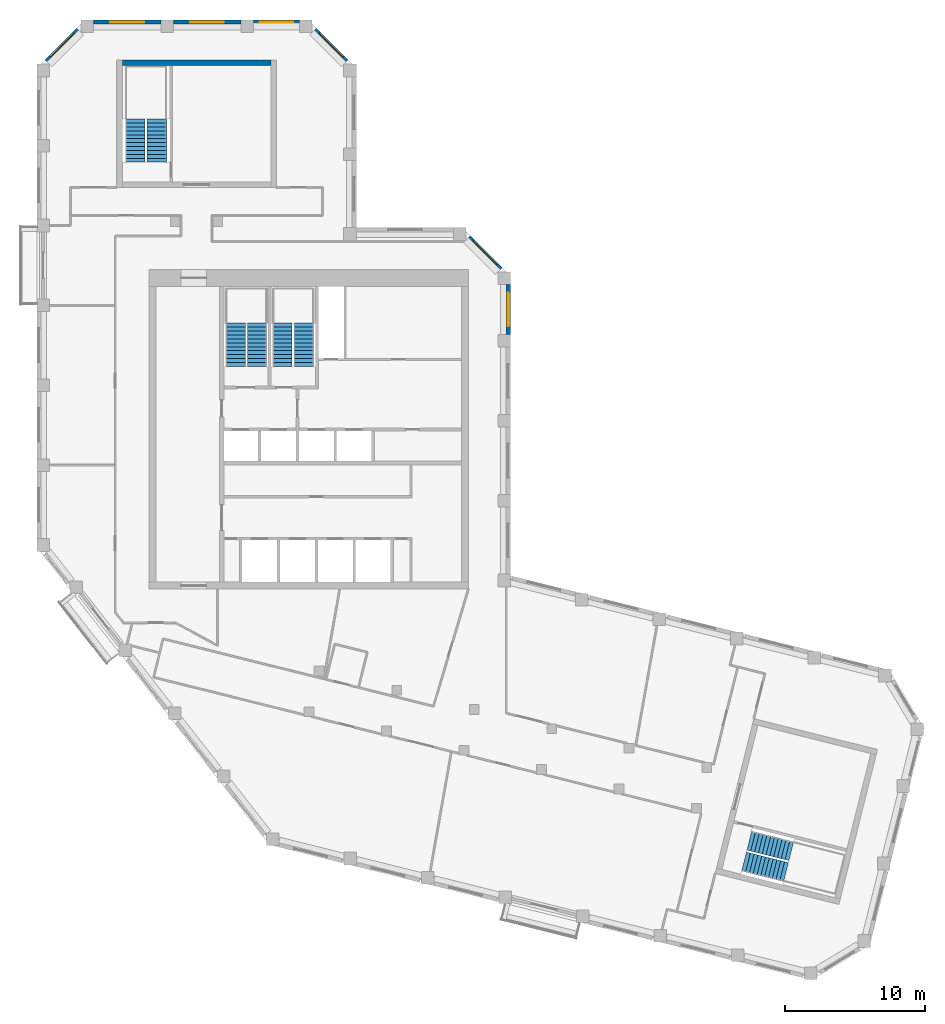
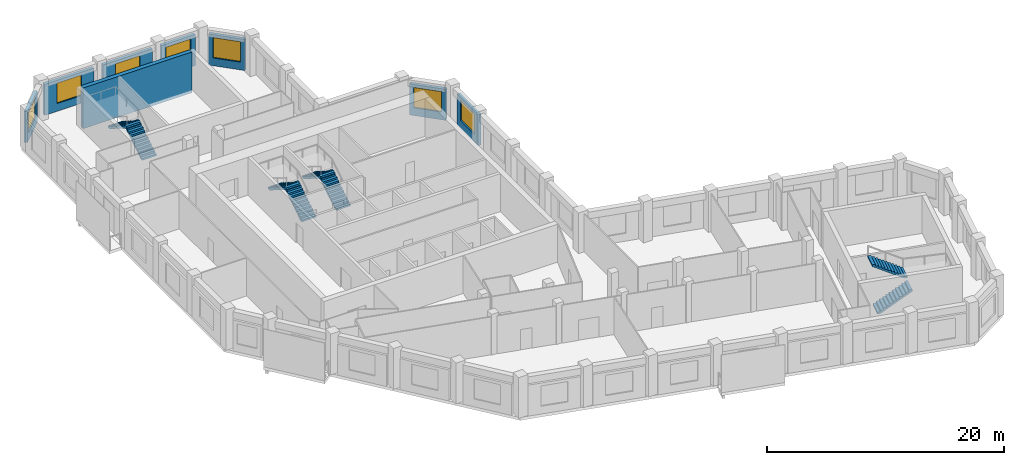
# One storey, part 7 of 8: 8 stair flights, 8 walls, 7 windows, 7 openings, 4 elements without a shape of their own.
"""IFC4 building model written with IfcOpenShell, lengths in metres."""

from ifc_helpers import new_model, si_unit, direction, frame, frame_2d, origin, place, context, subcontext, project, spatial, polyline, rectangle, outline, extrude, material, layer, layer_set, type_object, element, fill, aggregate, save


model = new_model("IFC4")

# Units and contexts
model_context = context("Model", 3, precision=1e-05, world=origin(), true_north=direction((0.0, 1.0)))
body_context = subcontext(model_context, "Body", "Model", "MODEL_VIEW")
ifc_project = project(units=[si_unit("LENGTHUNIT", "METRE"), si_unit("AREAUNIT", "SQUARE_METRE"), si_unit("VOLUMEUNIT", "CUBIC_METRE"), si_unit("PLANEANGLEUNIT", "RADIAN"), si_unit("MASSUNIT", "GRAM", prefix="KILO")], contexts=[model_context])

# Site, building, storey
site_placement = place(None, origin())
site = spatial("IfcSite", under=ifc_project, at=site_placement, CompositionType="ELEMENT")
building_placement = place(site_placement, origin())
building = spatial("IfcBuilding", under=site, at=building_placement, Name="Meshkara Civic Tower", CompositionType="ELEMENT")
storey_placement = place(building_placement, frame((0.0, 0.0, 379.199951171875)))
storey = spatial("IfcBuildingStorey", under=building, at=storey_placement, Name="L87", CompositionType="ELEMENT", Elevation=379.199951171875)

# Wall, opening, window
ifc_material_1 = material(Name="Insulated infill panel with bronze anodised aluminium cladding", Category="aluminium")
ifc_layer_1 = layer(ifc_material_1, 0.300048828125)
ifc_layer_set_1 = layer_set([ifc_layer_1], Name="EXTERNAL INFILL WALL 300")
wall_type_1 = type_object("IfcWallType", Name="EXTERNAL INFILL WALL 300", PredefinedType="SOLIDWALL", material=ifc_layer_set_1)
wall_1_placement = place(storey_placement, frame((33.64990234375, 32.26904296875, 0.0), z_axis=(0.0, 0.0, 1.0), x_axis=(0.0, 1.0, 0.0)))
wall_1 = element("IfcWall", 1, at=wall_1_placement, inside=storey, type_object=wall_type_1, Name="External wall", PredefinedType="SOLIDWALL", context=body_context, shape_type="SweptSolid", body=[
    extrude(rectangle(XDim=3.574951171875, YDim=0.300048828125, at=frame_2d((1.78759765625, 0.0))), origin(), (0.0, 0.0, 1.0), 3.199951171875),
])
opening_1_placement = place(wall_1_placement, frame((0.587890625, 0.0, 0.800048828125)))
opening_1 = element("IfcOpeningElement", 2, at=opening_1_placement, cuts=wall_1, Name="Opening W7", PredefinedType="OPENING", context=body_context, shape_type="SweptSolid", body=[
    extrude(rectangle(XDim=2.39990234375, YDim=2.10009765625, at=frame_2d((1.199951171875, 1.050048828125))), frame((0.0, 0.159912109375, 0.0), z_axis=(0.0, -1.0, 0.0), x_axis=(1.0, 0.0, 0.0)), (0.0, 0.0, 1.0), 0.320068359375),
])
ifc_material_2 = material(Name="Tinted double glazing", Category="glass")
window_type = type_object("IfcWindowType", Name="WINDOW 2400x2100", PartitioningType="DOUBLE_PANEL_VERTICAL", PredefinedType="WINDOW", material=ifc_material_2)
window_1_placement = place(opening_1_placement, origin())
window_1 = element("IfcWindow", 3, at=window_1_placement, inside=storey, type_object=window_type, Name="Window", OverallHeight=2.10009765625, OverallWidth=2.39990234375, PartitioningType="DOUBLE_PANEL_VERTICAL", PredefinedType="WINDOW", context=body_context, shape_type="SweptSolid", body=[
    extrude(rectangle(XDim=2.39990234375, YDim=2.10009765625, at=frame_2d((1.199951171875, 1.050048828125))), frame((0.0, 0.030029296875, 0.0), z_axis=(0.0, -1.0, 0.0), x_axis=(1.0, 0.0, 0.0)), (0.0, 0.0, 1.0), 0.06005859375),
])
fill(opening_1, window_1)

wall_2_placement = place(storey_placement, frame((33.112060546875, 36.9560546875, 0.0), z_axis=(0.0, 0.0, 1.0), x_axis=(-0.707145041435, 0.707068518868, 0.0)))
wall_2 = element("IfcWall", 4, at=wall_2_placement, inside=storey, type_object=wall_type_1, Name="External wall", PredefinedType="SOLIDWALL", context=body_context, shape_type="SweptSolid", body=[
    extrude(rectangle(XDim=3.1904296875, YDim=0.300048828125, at=frame_2d((1.59521484375, 0.0))), origin(), (0.0, 0.0, 1.0), 3.199951171875),
])
opening_2_placement = place(wall_2_placement, frame((0.39501953125, 0.0, 0.800048828125)))
opening_2 = element("IfcOpeningElement", 5, at=opening_2_placement, cuts=wall_2, Name="Opening W7", PredefinedType="OPENING", context=body_context, shape_type="SweptSolid", body=[
    extrude(rectangle(XDim=2.39990234375, YDim=2.10009765625, at=frame_2d((1.199951171875, 1.050048828125))), frame((0.0, 0.159912109375, 0.0), z_axis=(0.0, -1.0, 0.0), x_axis=(1.0, 0.0, 0.0)), (0.0, 0.0, 1.0), 0.320068359375),
])
window_2_placement = place(opening_2_placement, origin())
window_2 = element("IfcWindow", 6, at=window_2_placement, inside=storey, type_object=window_type, Name="Window", OverallHeight=2.10009765625, OverallWidth=2.39990234375, PartitioningType="DOUBLE_PANEL_VERTICAL", PredefinedType="WINDOW", context=body_context, shape_type="SweptSolid", body=[
    extrude(rectangle(XDim=2.39990234375, YDim=2.10009765625, at=frame_2d((1.199951171875, 1.050048828125))), frame((0.0, 0.030029296875, 0.0), z_axis=(0.0, -1.0, 0.0), x_axis=(1.0, 0.0, 0.0)), (0.0, 0.0, 1.0), 0.06005859375),
])
fill(opening_2, window_2)

wall_3_placement = place(storey_placement, frame((22.112060546875, 51.77587890625, 0.0), z_axis=(0.0, 0.0, 1.0), x_axis=(-0.707106781187, 0.707106781187, 0.0)))
wall_3 = element("IfcWall", 7, at=wall_3_placement, inside=storey, type_object=wall_type_1, Name="External wall", PredefinedType="SOLIDWALL", context=body_context, shape_type="SweptSolid", body=[
    extrude(rectangle(XDim=3.190673828125, YDim=0.300048828125, at=frame_2d((1.59521484375, 0.0))), origin(), (0.0, 0.0, 1.0), 3.199951171875),
])
opening_3_placement = place(wall_3_placement, frame((0.39501953125, 0.0, 0.800048828125)))
opening_3 = element("IfcOpeningElement", 8, at=opening_3_placement, cuts=wall_3, Name="Opening W7", PredefinedType="OPENING", context=body_context, shape_type="SweptSolid", body=[
    extrude(rectangle(XDim=2.39990234375, YDim=2.10009765625, at=frame_2d((1.199951171875, 1.050048828125))), frame((0.0, 0.159912109375, 0.0), z_axis=(0.0, -1.0, 0.0), x_axis=(1.0, 0.0, 0.0)), (0.0, 0.0, 1.0), 0.320068359375),
])
window_3_placement = place(opening_3_placement, origin())
window_3 = element("IfcWindow", 9, at=window_3_placement, inside=storey, type_object=window_type, Name="Window", OverallHeight=2.10009765625, OverallWidth=2.39990234375, PartitioningType="DOUBLE_PANEL_VERTICAL", PredefinedType="WINDOW", context=body_context, shape_type="SweptSolid", body=[
    extrude(rectangle(XDim=2.39990234375, YDim=2.10009765625, at=frame_2d((1.199951171875, 1.050048828125))), frame((0.0, 0.030029296875, 0.0), z_axis=(0.0, -1.0, 0.0), x_axis=(1.0, 0.0, 0.0)), (0.0, 0.0, 1.0), 0.06005859375),
])
fill(opening_3, window_3)

wall_4_placement = place(storey_placement, frame((18.743896484375, 54.570068359375, 0.0), z_axis=(0.0, 0.0, 1.0), x_axis=(-1.0, 0.0, 0.0)))
wall_4 = element("IfcWall", 10, at=wall_4_placement, inside=storey, type_object=wall_type_1, Name="External wall", PredefinedType="SOLIDWALL", context=body_context, shape_type="SweptSolid", body=[
    extrude(rectangle(XDim=3.287841796875, YDim=0.300048828125, at=frame_2d((1.64404296875, 0.0))), origin(), (0.0, 0.0, 1.0), 3.199951171875),
])
opening_4_placement = place(wall_4_placement, frame((0.444091796875, 0.0, 0.800048828125)))
opening_4 = element("IfcOpeningElement", 11, at=opening_4_placement, cuts=wall_4, Name="Opening W7", PredefinedType="OPENING", context=body_context, shape_type="SweptSolid", body=[
    extrude(rectangle(XDim=2.39990234375, YDim=2.10009765625, at=frame_2d((1.199951171875, 1.050048828125))), frame((0.0, 0.159912109375, 0.0), z_axis=(0.0, -1.0, 0.0), x_axis=(1.0, 0.0, 0.0)), (0.0, 0.0, 1.0), 0.320068359375),
])
window_4_placement = place(opening_4_placement, origin())
window_4 = element("IfcWindow", 12, at=window_4_placement, inside=storey, type_object=window_type, Name="Window", OverallHeight=2.10009765625, OverallWidth=2.39990234375, PartitioningType="DOUBLE_PANEL_VERTICAL", PredefinedType="WINDOW", context=body_context, shape_type="SweptSolid", body=[
    extrude(rectangle(XDim=2.39990234375, YDim=2.10009765625, at=frame_2d((1.199951171875, 1.050048828125))), frame((0.0, 0.030029296875, 0.0), z_axis=(0.0, -1.0, 0.0), x_axis=(1.0, 0.0, 0.0)), (0.0, 0.0, 1.0), 0.06005859375),
])
fill(opening_4, window_4)

wall_5_placement = place(storey_placement, frame((14.555908203125, 54.570068359375, 0.0), z_axis=(0.0, 0.0, 1.0), x_axis=(-1.0, 0.0, 0.0)))
wall_5 = element("IfcWall", 13, at=wall_5_placement, inside=storey, type_object=wall_type_1, Name="External wall", PredefinedType="SOLIDWALL", context=body_context, shape_type="SweptSolid", body=[
    extrude(rectangle(XDim=4.7998046875, YDim=0.300048828125, at=frame_2d((2.39990234375, 0.0))), origin(), (0.0, 0.0, 1.0), 3.199951171875),
])
opening_5_placement = place(wall_5_placement, frame((1.199951171875, 0.0, 0.800048828125)))
opening_5 = element("IfcOpeningElement", 14, at=opening_5_placement, cuts=wall_5, Name="Opening W7", PredefinedType="OPENING", context=body_context, shape_type="SweptSolid", body=[
    extrude(rectangle(XDim=2.39990234375, YDim=2.10009765625, at=frame_2d((1.199951171875, 1.050048828125))), frame((0.0, 0.159912109375, 0.0), z_axis=(0.0, -1.0, 0.0), x_axis=(1.0, 0.0, 0.0)), (0.0, 0.0, 1.0), 0.320068359375),
])
window_5_placement = place(opening_5_placement, origin())
window_5 = element("IfcWindow", 15, at=window_5_placement, inside=storey, type_object=window_type, Name="Window", OverallHeight=2.10009765625, OverallWidth=2.39990234375, PartitioningType="DOUBLE_PANEL_VERTICAL", PredefinedType="WINDOW", context=body_context, shape_type="SweptSolid", body=[
    extrude(rectangle(XDim=2.39990234375, YDim=2.10009765625, at=frame_2d((1.199951171875, 1.050048828125))), frame((0.0, 0.030029296875, 0.0), z_axis=(0.0, -1.0, 0.0), x_axis=(1.0, 0.0, 0.0)), (0.0, 0.0, 1.0), 0.06005859375),
])
fill(opening_5, window_5)

wall_6_placement = place(storey_placement, frame((8.85595703125, 54.570068359375, 0.0), z_axis=(0.0, 0.0, 1.0), x_axis=(-1.0, 0.0, 0.0)))
wall_6 = element("IfcWall", 16, at=wall_6_placement, inside=storey, type_object=wall_type_1, Name="External wall", PredefinedType="SOLIDWALL", context=body_context, shape_type="SweptSolid", body=[
    extrude(rectangle(XDim=4.800048828125, YDim=0.300048828125, at=frame_2d((2.39990234375, 0.0))), origin(), (0.0, 0.0, 1.0), 3.199951171875),
])
opening_6_placement = place(wall_6_placement, frame((1.199951171875, 0.0, 0.800048828125)))
opening_6 = element("IfcOpeningElement", 17, at=opening_6_placement, cuts=wall_6, Name="Opening W7", PredefinedType="OPENING", context=body_context, shape_type="SweptSolid", body=[
    extrude(rectangle(XDim=2.39990234375, YDim=2.10009765625, at=frame_2d((1.199951171875, 1.050048828125))), frame((0.0, 0.159912109375, 0.0), z_axis=(0.0, -1.0, 0.0), x_axis=(1.0, 0.0, 0.0)), (0.0, 0.0, 1.0), 0.320068359375),
])
window_6_placement = place(opening_6_placement, origin())
window_6 = element("IfcWindow", 18, at=window_6_placement, inside=storey, type_object=window_type, Name="Window", OverallHeight=2.10009765625, OverallWidth=2.39990234375, PartitioningType="DOUBLE_PANEL_VERTICAL", PredefinedType="WINDOW", context=body_context, shape_type="SweptSolid", body=[
    extrude(rectangle(XDim=2.39990234375, YDim=2.10009765625, at=frame_2d((1.199951171875, 1.050048828125))), frame((0.0, 0.030029296875, 0.0), z_axis=(0.0, -1.0, 0.0), x_axis=(1.0, 0.0, 0.0)), (0.0, 0.0, 1.0), 0.06005859375),
])
fill(opening_6, window_6)

wall_7_placement = place(storey_placement, frame((2.944091796875, 54.031982421875, 0.0), z_axis=(0.0, 0.0, 1.0), x_axis=(-0.707106781187, -0.707106781187, 0.0)))
wall_7 = element("IfcWall", 19, at=wall_7_placement, inside=storey, type_object=wall_type_1, Name="External wall", PredefinedType="SOLIDWALL", context=body_context, shape_type="SweptSolid", body=[
    extrude(rectangle(XDim=3.190673828125, YDim=0.300048828125, at=frame_2d((1.59521484375, 0.0))), origin(), (0.0, 0.0, 1.0), 3.199951171875),
])
opening_7_placement = place(wall_7_placement, frame((0.39501953125, 0.0, 0.800048828125)))
opening_7 = element("IfcOpeningElement", 20, at=opening_7_placement, cuts=wall_7, Name="Opening W7", PredefinedType="OPENING", context=body_context, shape_type="SweptSolid", body=[
    extrude(rectangle(XDim=2.39990234375, YDim=2.10009765625, at=frame_2d((1.199951171875, 1.050048828125))), frame((0.0, 0.159912109375, 0.0), z_axis=(0.0, -1.0, 0.0), x_axis=(1.0, 0.0, 0.0)), (0.0, 0.0, 1.0), 0.320068359375),
])
window_7_placement = place(opening_7_placement, origin())
window_7 = element("IfcWindow", 21, at=window_7_placement, inside=storey, type_object=window_type, Name="Window", OverallHeight=2.10009765625, OverallWidth=2.39990234375, PartitioningType="DOUBLE_PANEL_VERTICAL", PredefinedType="WINDOW", context=body_context, shape_type="SweptSolid", body=[
    extrude(rectangle(XDim=2.39990234375, YDim=2.10009765625, at=frame_2d((1.199951171875, 1.050048828125))), frame((0.0, 0.030029296875, 0.0), z_axis=(0.0, -1.0, 0.0), x_axis=(1.0, 0.0, 0.0)), (0.0, 0.0, 1.0), 0.06005859375),
])
fill(opening_7, window_7)

# Wall
ifc_material_3 = material(Name="Concrete C50", Category="concrete")
ifc_layer_2 = layer(ifc_material_3, 0.39990234375)
ifc_layer_set_2 = layer_set([ifc_layer_2], Name="End core ring wall 400 C50")
wall_type_2 = type_object("IfcWallType", Name="End core ring wall 400 C50", PredefinedType="SHEAR", material=ifc_layer_set_2)
wall_8_placement = place(storey_placement, frame((6.10009765625, 51.669921875, -0.300048828125), z_axis=(0.0, 0.0, 1.0), x_axis=(1.0, 0.0, 0.0)))
element("IfcWall", 22, at=wall_8_placement, inside=storey, type_object=wall_type_2, Name="L87-C029", PredefinedType="SHEAR", context=body_context, shape_type="SweptSolid", body=[
    extrude(rectangle(XDim=10.599853515625, YDim=0.39990234375, at=frame_2d((5.2998046875, 0.0))), origin(), (0.0, 0.0, 1.0), 4.2001953125),
])

# Stair, stair flights
ifc_material_4 = material(Name="Precast concrete C40/50", Category="concrete")
stair_type = type_object("IfcStairType", Name="Exit stair half-turn 24 risers precast", PredefinedType="HALF_TURN_STAIR", material=ifc_material_4)
stair_1_placement = place(storey_placement, origin())
stair_1 = element("IfcStair", 23, at=stair_1_placement, inside=storey, type_object=stair_type, Name="L87 exit stair 1", PredefinedType="HALF_TURN_STAIR")
ifc_material_5 = material(Name="Precast concrete C40/50", Category="concrete")
stair_flight_type = type_object("IfcStairFlightType", Name="Exit stair flight 12 risers precast", PredefinedType="STRAIGHT", material=ifc_material_5)
stair_flight_1_placement = place(storey_placement, frame((15.72509765625, 30.0, 0.0), z_axis=(0.0, 0.0, 1.0), x_axis=(0.0, 1.0, 0.0)))
stair_flight_1 = element("IfcStairFlight", 24, at=stair_flight_1_placement, type_object=stair_flight_type, Name="ST1 flight 1", NumberOfRisers=12, NumberOfTreads=11, PredefinedType="STRAIGHT", RiserHeight=0.175, TreadLength=0.28, context=body_context, shape_type="SweptSolid", body=[
    extrude(outline(polyline([(0.0, 0.0), (0.0, 0.175048828125), (0.280029296875, 0.175048828125), (0.280029296875, 0.35009765625), (0.56005859375, 0.35009765625), (0.56005859375, 0.52490234375), (0.840087890625, 0.52490234375), (0.840087890625, 0.699951171875), (1.1201171875, 0.699951171875), (1.1201171875, 0.875), (1.39990234375, 0.875), (1.39990234375, 1.050048828125), (1.679931640625, 1.050048828125), (1.679931640625, 1.22509765625), (1.9599609375, 1.22509765625), (1.9599609375, 1.39990234375), (2.239990234375, 1.39990234375), (2.239990234375, 1.574951171875), (2.52001953125, 1.574951171875), (2.52001953125, 1.75), (2.800048828125, 1.75), (2.800048828125, 1.925048828125), (3.080078125, 1.925048828125), (3.080078125, 2.10009765625), (3.080078125, 1.748291015625), (0.28271484375, 0.0), (0.0, 0.0)])), frame((0.0, 0.699951171875, 0.0), z_axis=(0.0, -1.0, 0.0), x_axis=(1.0, 0.0, 0.0)), (0.0, 0.0, 1.0), 1.39990234375),
])
stair_flight_2_placement = place(storey_placement, frame((14.175048828125, 33.080078125, 2.10009765625), z_axis=(0.0, 0.0, 1.0), x_axis=(0.0, -1.0, 0.0)))
stair_flight_2 = element("IfcStairFlight", 25, at=stair_flight_2_placement, type_object=stair_flight_type, Name="ST1 flight 2", NumberOfRisers=12, NumberOfTreads=11, PredefinedType="STRAIGHT", RiserHeight=0.175, TreadLength=0.28, context=body_context, shape_type="SweptSolid", body=[
    extrude(outline(polyline([(0.0, 0.0), (0.0, 0.175048828125), (0.280029296875, 0.175048828125), (0.280029296875, 0.35009765625), (0.56005859375, 0.35009765625), (0.56005859375, 0.52490234375), (0.840087890625, 0.52490234375), (0.840087890625, 0.699951171875), (1.1201171875, 0.699951171875), (1.1201171875, 0.875), (1.39990234375, 0.875), (1.39990234375, 1.050048828125), (1.679931640625, 1.050048828125), (1.679931640625, 1.22509765625), (1.9599609375, 1.22509765625), (1.9599609375, 1.39990234375), (2.239990234375, 1.39990234375), (2.239990234375, 1.574951171875), (2.52001953125, 1.574951171875), (2.52001953125, 1.75), (2.800048828125, 1.75), (2.800048828125, 1.925048828125), (3.080078125, 1.925048828125), (3.080078125, 2.10009765625), (3.080078125, 1.748291015625), (0.28271484375, 0.0), (0.0, 0.0)])), frame((0.0, 0.699951171875, 0.0), z_axis=(0.0, -1.0, 0.0), x_axis=(1.0, 0.0, 0.0)), (0.0, 0.0, 1.0), 1.39990234375),
])
aggregate(stair_1, [stair_flight_1, stair_flight_2])

stair_2_placement = place(storey_placement, origin())
stair_2 = element("IfcStair", 26, at=stair_2_placement, inside=storey, type_object=stair_type, Name="L87 exit stair 2", PredefinedType="HALF_TURN_STAIR")
stair_flight_3_placement = place(storey_placement, frame((19.074951171875, 30.0, 0.0), z_axis=(0.0, 0.0, 1.0), x_axis=(0.0, 1.0, 0.0)))
stair_flight_3 = element("IfcStairFlight", 27, at=stair_flight_3_placement, type_object=stair_flight_type, Name="ST2 flight 1", NumberOfRisers=12, NumberOfTreads=11, PredefinedType="STRAIGHT", RiserHeight=0.175, TreadLength=0.28, context=body_context, shape_type="SweptSolid", body=[
    extrude(outline(polyline([(0.0, 0.0), (0.0, 0.175048828125), (0.280029296875, 0.175048828125), (0.280029296875, 0.35009765625), (0.56005859375, 0.35009765625), (0.56005859375, 0.52490234375), (0.840087890625, 0.52490234375), (0.840087890625, 0.699951171875), (1.1201171875, 0.699951171875), (1.1201171875, 0.875), (1.39990234375, 0.875), (1.39990234375, 1.050048828125), (1.679931640625, 1.050048828125), (1.679931640625, 1.22509765625), (1.9599609375, 1.22509765625), (1.9599609375, 1.39990234375), (2.239990234375, 1.39990234375), (2.239990234375, 1.574951171875), (2.52001953125, 1.574951171875), (2.52001953125, 1.75), (2.800048828125, 1.75), (2.800048828125, 1.925048828125), (3.080078125, 1.925048828125), (3.080078125, 2.10009765625), (3.080078125, 1.748291015625), (0.28271484375, 0.0), (0.0, 0.0)])), frame((0.0, 0.699951171875, 0.0), z_axis=(0.0, -1.0, 0.0), x_axis=(1.0, 0.0, 0.0)), (0.0, 0.0, 1.0), 1.39990234375),
])
stair_flight_4_placement = place(storey_placement, frame((17.52490234375, 33.080078125, 2.10009765625), z_axis=(0.0, 0.0, 1.0), x_axis=(0.0, -1.0, 0.0)))
stair_flight_4 = element("IfcStairFlight", 28, at=stair_flight_4_placement, type_object=stair_flight_type, Name="ST2 flight 2", NumberOfRisers=12, NumberOfTreads=11, PredefinedType="STRAIGHT", RiserHeight=0.175, TreadLength=0.28, context=body_context, shape_type="SweptSolid", body=[
    extrude(outline(polyline([(0.0, 0.0), (0.0, 0.175048828125), (0.280029296875, 0.175048828125), (0.280029296875, 0.35009765625), (0.56005859375, 0.35009765625), (0.56005859375, 0.52490234375), (0.840087890625, 0.52490234375), (0.840087890625, 0.699951171875), (1.1201171875, 0.699951171875), (1.1201171875, 0.875), (1.39990234375, 0.875), (1.39990234375, 1.050048828125), (1.679931640625, 1.050048828125), (1.679931640625, 1.22509765625), (1.9599609375, 1.22509765625), (1.9599609375, 1.39990234375), (2.239990234375, 1.39990234375), (2.239990234375, 1.574951171875), (2.52001953125, 1.574951171875), (2.52001953125, 1.75), (2.800048828125, 1.75), (2.800048828125, 1.925048828125), (3.080078125, 1.925048828125), (3.080078125, 2.10009765625), (3.080078125, 1.748291015625), (0.28271484375, 0.0), (0.0, 0.0)])), frame((0.0, 0.699951171875, 0.0), z_axis=(0.0, -1.0, 0.0), x_axis=(1.0, 0.0, 0.0)), (0.0, 0.0, 1.0), 1.39990234375),
])
aggregate(stair_2, [stair_flight_3, stair_flight_4])

stair_3_placement = place(storey_placement, origin())
stair_3 = element("IfcStair", 29, at=stair_3_placement, inside=storey, type_object=stair_type, Name="L87 exit stair A from L80", PredefinedType="HALF_TURN_STAIR")
stair_flight_5_placement = place(storey_placement, frame((8.574951171875, 44.570068359375, 0.0), z_axis=(0.0, 0.0, 1.0), x_axis=(0.0, 1.0, 0.0)))
stair_flight_5 = element("IfcStairFlight", 30, at=stair_flight_5_placement, type_object=stair_flight_type, Name="ESA6 flight 1", NumberOfRisers=12, NumberOfTreads=11, PredefinedType="STRAIGHT", RiserHeight=0.175, TreadLength=0.28, context=body_context, shape_type="SweptSolid", body=[
    extrude(outline(polyline([(0.0, 0.0), (0.0, 0.175048828125), (0.280029296875, 0.175048828125), (0.280029296875, 0.35009765625), (0.56005859375, 0.35009765625), (0.56005859375, 0.52490234375), (0.840087890625, 0.52490234375), (0.840087890625, 0.699951171875), (1.1201171875, 0.699951171875), (1.1201171875, 0.875), (1.39990234375, 0.875), (1.39990234375, 1.050048828125), (1.679931640625, 1.050048828125), (1.679931640625, 1.22509765625), (1.9599609375, 1.22509765625), (1.9599609375, 1.39990234375), (2.239990234375, 1.39990234375), (2.239990234375, 1.574951171875), (2.52001953125, 1.574951171875), (2.52001953125, 1.75), (2.800048828125, 1.75), (2.800048828125, 1.925048828125), (3.080078125, 1.925048828125), (3.080078125, 2.10009765625), (3.080078125, 1.748291015625), (0.28271484375, 0.0), (0.0, 0.0)])), frame((0.0, 0.699951171875, 0.0), z_axis=(0.0, -1.0, 0.0), x_axis=(1.0, 0.0, 0.0)), (0.0, 0.0, 1.0), 1.39990234375),
])
stair_flight_6_placement = place(storey_placement, frame((7.02490234375, 47.64990234375, 2.10009765625), z_axis=(0.0, 0.0, 1.0), x_axis=(0.0, -1.0, 0.0)))
stair_flight_6 = element("IfcStairFlight", 31, at=stair_flight_6_placement, type_object=stair_flight_type, Name="ESA6 flight 2", NumberOfRisers=12, NumberOfTreads=11, PredefinedType="STRAIGHT", RiserHeight=0.175, TreadLength=0.28, context=body_context, shape_type="SweptSolid", body=[
    extrude(outline(polyline([(0.0, 0.0), (0.0, 0.175048828125), (0.280029296875, 0.175048828125), (0.280029296875, 0.35009765625), (0.56005859375, 0.35009765625), (0.56005859375, 0.52490234375), (0.840087890625, 0.52490234375), (0.840087890625, 0.699951171875), (1.1201171875, 0.699951171875), (1.1201171875, 0.875), (1.39990234375, 0.875), (1.39990234375, 1.050048828125), (1.679931640625, 1.050048828125), (1.679931640625, 1.22509765625), (1.9599609375, 1.22509765625), (1.9599609375, 1.39990234375), (2.239990234375, 1.39990234375), (2.239990234375, 1.574951171875), (2.52001953125, 1.574951171875), (2.52001953125, 1.75), (2.800048828125, 1.75), (2.800048828125, 1.925048828125), (3.080078125, 1.925048828125), (3.080078125, 2.10009765625), (3.080078125, 1.748291015625), (0.28271484375, 0.0), (0.0, 0.0)])), frame((0.0, 0.699951171875, 0.0), z_axis=(0.0, -1.0, 0.0), x_axis=(1.0, 0.0, 0.0)), (0.0, 0.0, 1.0), 1.39990234375),
])
aggregate(stair_3, [stair_flight_5, stair_flight_6])

stair_4_placement = place(storey_placement, origin())
stair_4 = element("IfcStair", 32, at=stair_4_placement, inside=storey, type_object=stair_type, Name="L87 exit stair B from L80", PredefinedType="HALF_TURN_STAIR")
stair_flight_7_placement = place(storey_placement, frame((50.47607421875, -5.344482421875, 0.0), z_axis=(0.0, 0.0, 1.0), x_axis=(0.9703185901, -0.241830175344, 0.0)))
stair_flight_7 = element("IfcStairFlight", 33, at=stair_flight_7_placement, type_object=stair_flight_type, Name="ESB6 flight 1", NumberOfRisers=12, NumberOfTreads=11, PredefinedType="STRAIGHT", RiserHeight=0.175, TreadLength=0.28, context=body_context, shape_type="SweptSolid", body=[
    extrude(outline(polyline([(0.0, 0.0), (0.0, 0.175048828125), (0.280029296875, 0.175048828125), (0.280029296875, 0.35009765625), (0.56005859375, 0.35009765625), (0.56005859375, 0.52490234375), (0.840087890625, 0.52490234375), (0.840087890625, 0.699951171875), (1.1201171875, 0.699951171875), (1.1201171875, 0.875), (1.39990234375, 0.875), (1.39990234375, 1.050048828125), (1.679931640625, 1.050048828125), (1.679931640625, 1.22509765625), (1.9599609375, 1.22509765625), (1.9599609375, 1.39990234375), (2.239990234375, 1.39990234375), (2.239990234375, 1.574951171875), (2.52001953125, 1.574951171875), (2.52001953125, 1.75), (2.800048828125, 1.75), (2.800048828125, 1.925048828125), (3.080078125, 1.925048828125), (3.080078125, 2.10009765625), (3.080078125, 1.748291015625), (0.28271484375, 0.0), (0.0, 0.0)])), frame((0.0, 0.699951171875, 0.0), z_axis=(0.0, -1.0, 0.0), x_axis=(1.0, 0.0, 0.0)), (0.0, 0.0, 1.0), 1.39990234375),
])
stair_flight_8_placement = place(storey_placement, frame((53.83935546875, -4.58544921875, 2.10009765625), z_axis=(0.0, 0.0, 1.0), x_axis=(-0.9703185901, 0.241830175344, 0.0)))
stair_flight_8 = element("IfcStairFlight", 34, at=stair_flight_8_placement, type_object=stair_flight_type, Name="ESB6 flight 2", NumberOfRisers=12, NumberOfTreads=11, PredefinedType="STRAIGHT", RiserHeight=0.175, TreadLength=0.28, context=body_context, shape_type="SweptSolid", body=[
    extrude(outline(polyline([(0.0, 0.0), (0.0, 0.175048828125), (0.280029296875, 0.175048828125), (0.280029296875, 0.35009765625), (0.56005859375, 0.35009765625), (0.56005859375, 0.52490234375), (0.840087890625, 0.52490234375), (0.840087890625, 0.699951171875), (1.1201171875, 0.699951171875), (1.1201171875, 0.875), (1.39990234375, 0.875), (1.39990234375, 1.050048828125), (1.679931640625, 1.050048828125), (1.679931640625, 1.22509765625), (1.9599609375, 1.22509765625), (1.9599609375, 1.39990234375), (2.239990234375, 1.39990234375), (2.239990234375, 1.574951171875), (2.52001953125, 1.574951171875), (2.52001953125, 1.75), (2.800048828125, 1.75), (2.800048828125, 1.925048828125), (3.080078125, 1.925048828125), (3.080078125, 2.10009765625), (3.080078125, 1.748291015625), (0.28271484375, 0.0), (0.0, 0.0)])), frame((0.0, 0.699951171875, 0.0), z_axis=(0.0, -1.0, 0.0), x_axis=(1.0, 0.0, 0.0)), (0.0, 0.0, 1.0), 1.39990234375),
])
aggregate(stair_4, [stair_flight_7, stair_flight_8])

save(model, "model.ifc")
